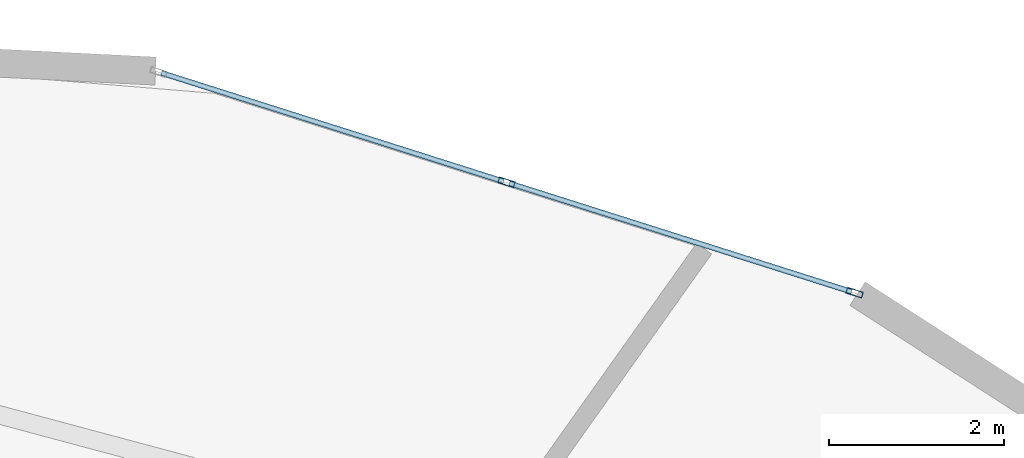
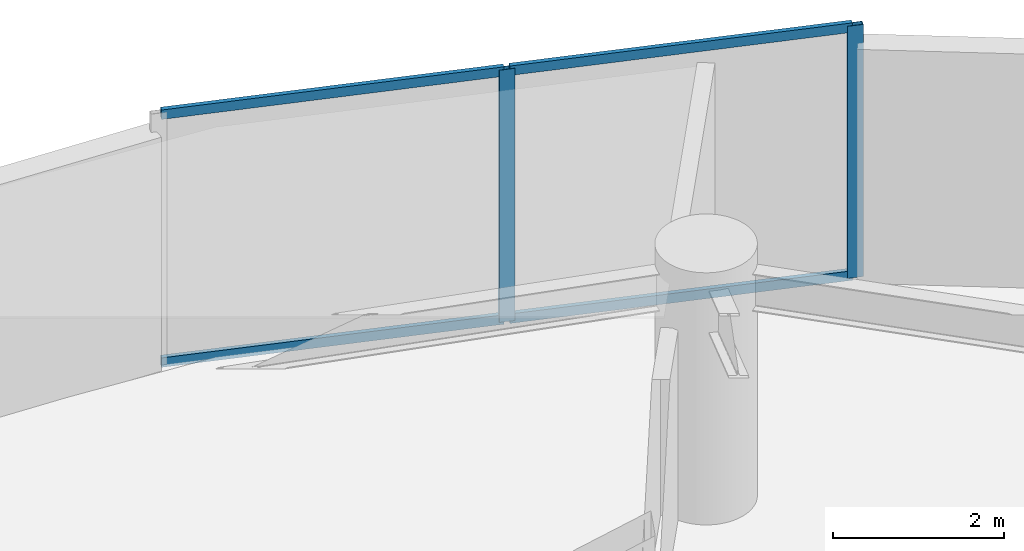
# One storey, part 15 of 23: 6 members, 1 element without a shape of its own.
"""IFC4 building model written with IfcOpenShell, lengths in metres."""

from ifc_helpers import new_model, si_unit, direction, frame, origin, origin_2d, place, context, subcontext, project, spatial, hollow_rectangle, extrude, source, transform, mapped, material, layer, layer_set, material_profile, profile_set, type_object, element, aggregate, save


model = new_model("IFC4")

# Units and contexts
model_context = context("Model", 3, precision=1e-05, world=origin(), true_north=direction((0.0, 1.0)))
body_context = subcontext(model_context, "Body", "Model", "MODEL_VIEW")
ifc_project = project(units=[si_unit("LENGTHUNIT", "METRE"), si_unit("AREAUNIT", "SQUARE_METRE"), si_unit("VOLUMEUNIT", "CUBIC_METRE"), si_unit("PLANEANGLEUNIT", "RADIAN"), si_unit("MASSUNIT", "GRAM", prefix="KILO")], contexts=[model_context])

# Site, building, storey
site_placement = place(None, origin())
site = spatial("IfcSite", under=ifc_project, at=site_placement, CompositionType="ELEMENT")
building_placement = place(site_placement, origin())
building = spatial("IfcBuilding", under=site, at=building_placement, Name="Solvirekh Grand Hotel", CompositionType="ELEMENT")
storey_placement = place(building_placement, frame((0.0, 0.0, 46.39990234375)))
storey = spatial("IfcBuildingStorey", under=building, at=storey_placement, Name="L10", CompositionType="ELEMENT", Elevation=46.39990234375)

# Curtain wall, members
ifc_material = material(Name="Anodized Bronze Aluminium 6063-T6", Category="aluminium")
ifc_layer = layer(ifc_material, 0.18994140625)
ifc_layer_set = layer_set([ifc_layer], Name="Anodized Bronze Aluminium 6063-T6")
curtain_wall_type = type_object("IfcCurtainWallType", Name="CW_Sys2_LowZoneFlushBronzeCW", PredefinedType="NOTDEFINED", material=ifc_layer_set)
curtain_wall_placement = place(storey_placement, origin())
curtain_wall = element("IfcCurtainWall", 1, at=curtain_wall_placement, inside=storey, type_object=curtain_wall_type, Name="L10 unitised bronze-glass curtain wall CW-L10-C05", PredefinedType="NOTDEFINED")
ifc_material_profile_1 = material_profile(ifc_material, hollow_rectangle(XDim=0.070068359375, YDim=0.18994140625, WallThickness=0.0048828125, at=origin_2d()), Name="ALU RHS 190X70X5")
ifc_profile_set_1 = profile_set([ifc_material_profile_1], Name="Anodized Bronze Aluminium 6063-T6")
member_type_1 = type_object("IfcMemberType", Name="CWMullion_Sys2", PredefinedType="MULLION", material=ifc_profile_set_1)
shared_shape_1 = source(origin(), body_context, "Body", "SweptSolid", [
    extrude(hollow_rectangle(XDim=0.070068359375, YDim=0.18994140625, WallThickness=0.0048828125, at=origin_2d()), origin(), (0.0, 0.0, 1.0), 3.60009765625),
])
member_1_placement = place(storey_placement, frame((13.046630859375, 19.11767578125, 0.0), z_axis=(0.0, 0.0, 1.0), x_axis=(-0.30228601104, -0.953217271942, 0.0)))
member_1 = element("IfcMember", 2, at=member_1_placement, type_object=member_type_1, Name="U02 mullion 1", PredefinedType="MULLION", context=body_context, shape_type="MappedRepresentation", body=[
    mapped(shared_shape_1, transform((0.0, 0.0, 0.0), x_axis=(1.0, 0.0, 0.0), y_axis=(0.0, 1.0, 0.0), z_axis=(0.0, 0.0, 1.0), scale=1.0)),
])
member_2_placement = place(storey_placement, frame((9.070556640625, 20.37841796875, 0.0), z_axis=(0.0, 0.0, 1.0), x_axis=(-0.30228601104, -0.953217271942, 0.0)))
member_2 = element("IfcMember", 3, at=member_2_placement, type_object=member_type_1, Name="U02 mullion 2", PredefinedType="MULLION", context=body_context, shape_type="MappedRepresentation", body=[
    mapped(shared_shape_1, transform((0.0, 0.0, 0.0), x_axis=(1.0, 0.0, 0.0), y_axis=(0.0, 1.0, 0.0), z_axis=(0.0, 0.0, 1.0), scale=1.0)),
])
ifc_material_profile_2 = material_profile(ifc_material, hollow_rectangle(XDim=0.06005859375, YDim=0.135009765625, WallThickness=0.00390625, at=origin_2d()), Name="ALU RHS 135X60X4")
ifc_profile_set_2 = profile_set([ifc_material_profile_2], Name="Anodized Bronze Aluminium 6063-T6")
member_type_2 = type_object("IfcMemberType", Name="CWTransom_Sys2", PredefinedType="USERDEFINED", material=ifc_profile_set_2)
shared_shape_2 = source(origin(), body_context, "Body", "SweptSolid", [
    extrude(hollow_rectangle(XDim=0.06005859375, YDim=0.135009765625, WallThickness=0.00390625, at=origin_2d()), origin(), (0.0, 0.0, 1.0), 4.101318359375),
])
member_3_placement = place(storey_placement, frame((13.01318359375, 19.128173828125, 0.030029296875), z_axis=(-0.953218506133, 0.302282119162, 0.0), x_axis=(-0.302282119162, -0.953218506133, 0.0)))
member_3 = element("IfcMember", 4, at=member_3_placement, type_object=member_type_2, Name="U02 transom 1.1", ObjectType="TRANSOM", PredefinedType="USERDEFINED", context=body_context, shape_type="MappedRepresentation", body=[
    mapped(shared_shape_2, transform((0.0, 0.0, 0.0), x_axis=(1.0, 0.0, 0.0), y_axis=(0.0, 1.0, 0.0), z_axis=(0.0, 0.0, 1.0), scale=1.0)),
])
member_4_placement = place(storey_placement, frame((13.01318359375, 19.128173828125, 3.570068359375), z_axis=(-0.953218506133, 0.302282119162, 0.0), x_axis=(-0.302282119162, -0.953218506133, 0.0)))
member_4 = element("IfcMember", 5, at=member_4_placement, type_object=member_type_2, Name="U02 transom 1.2", ObjectType="TRANSOM", PredefinedType="USERDEFINED", context=body_context, shape_type="MappedRepresentation", body=[
    mapped(shared_shape_2, transform((0.0, 0.0, 0.0), x_axis=(1.0, 0.0, 0.0), y_axis=(0.0, 1.0, 0.0), z_axis=(0.0, 0.0, 1.0), scale=1.0)),
])
member_5_placement = place(storey_placement, frame((9.037109375, 20.38916015625, 0.030029296875), z_axis=(-0.953218506133, 0.302282119162, 0.0), x_axis=(-0.302282119162, -0.953218506133, 0.0)))
member_5 = element("IfcMember", 6, at=member_5_placement, type_object=member_type_2, Name="U02 transom 2.1", ObjectType="TRANSOM", PredefinedType="USERDEFINED", context=body_context, shape_type="MappedRepresentation", body=[
    mapped(shared_shape_2, transform((0.0, 0.0, 0.0), x_axis=(1.0, 0.0, 0.0), y_axis=(0.0, 1.0, 0.0), z_axis=(0.0, 0.0, 1.0), scale=1.0)),
])
member_6_placement = place(storey_placement, frame((9.037109375, 20.38916015625, 3.570068359375), z_axis=(-0.953218506133, 0.302282119162, 0.0), x_axis=(-0.302282119162, -0.953218506133, 0.0)))
member_6 = element("IfcMember", 7, at=member_6_placement, type_object=member_type_2, Name="U02 transom 2.2", ObjectType="TRANSOM", PredefinedType="USERDEFINED", context=body_context, shape_type="MappedRepresentation", body=[
    mapped(shared_shape_2, transform((0.0, 0.0, 0.0), x_axis=(1.0, 0.0, 0.0), y_axis=(0.0, 1.0, 0.0), z_axis=(0.0, 0.0, 1.0), scale=1.0)),
])
aggregate(curtain_wall, [member_1, member_2, member_3, member_4, member_5, member_6])

save(model, "model.ifc")
